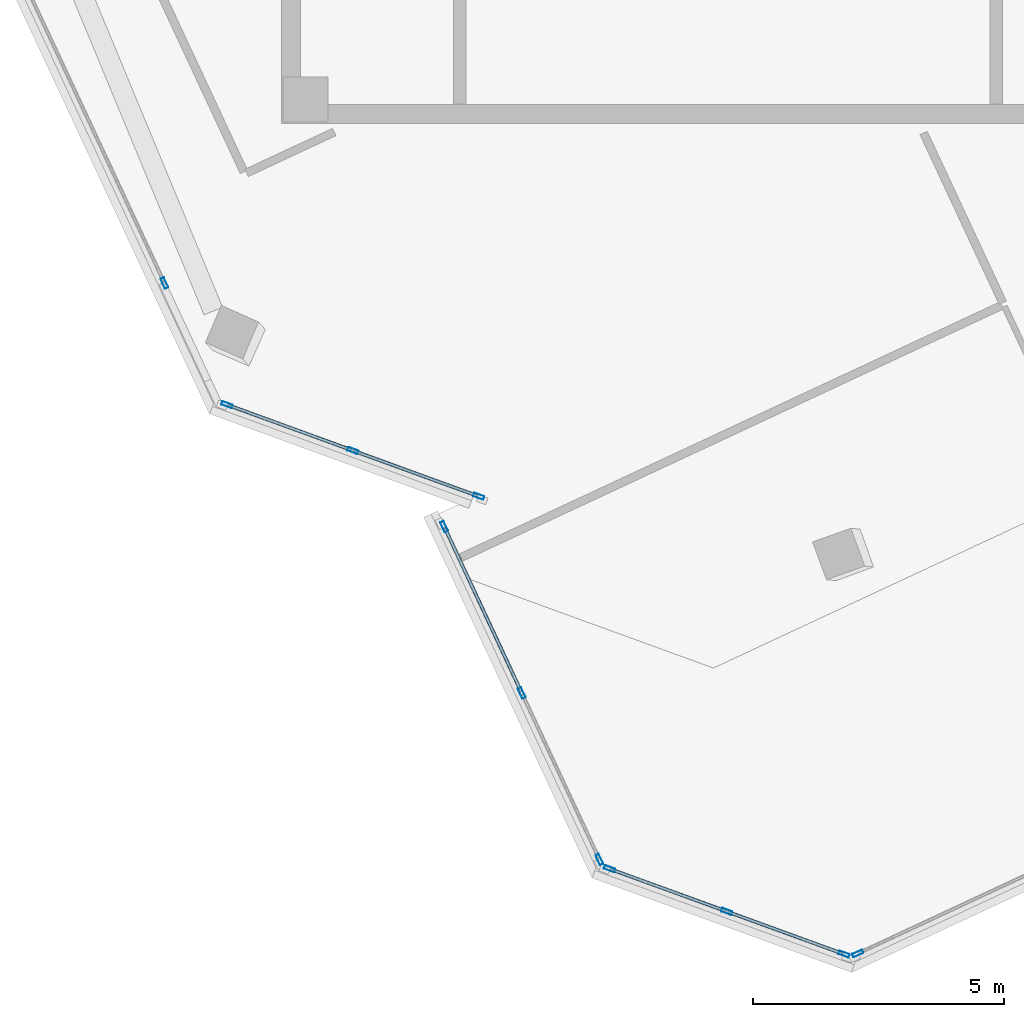
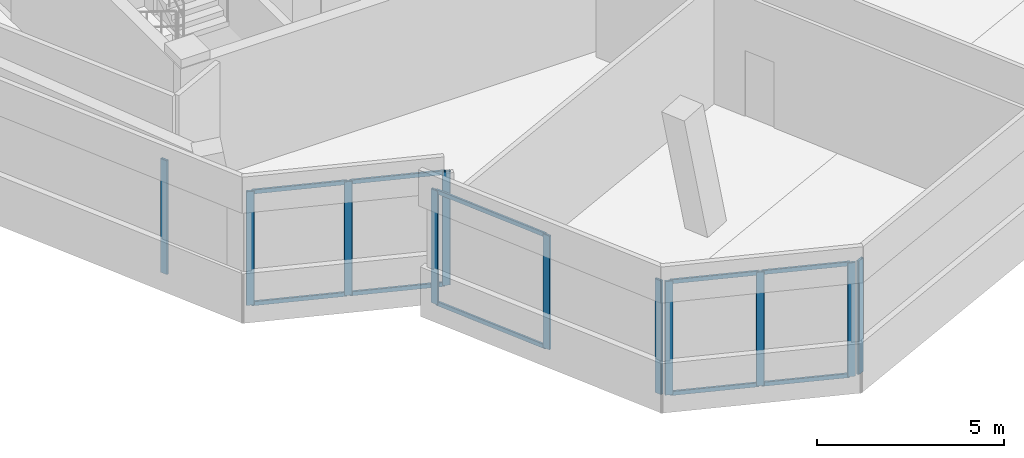
# One storey, part 2 of 16: 21 members, 5 elements without a shape of their own.
"""IFC4 building model written with IfcOpenShell, lengths in metres."""

from ifc_helpers import new_model, si_unit, direction, frame, origin, origin_2d, place, context, subcontext, project, spatial, hollow_rectangle, extrude, source, transform, mapped, material, material_profile, profile_set, type_object, element, aggregate, save


model = new_model("IFC4")

# Units and contexts
model_context = context("Model", 3, precision=1e-05, world=origin(), true_north=direction((0.0, 1.0)))
body_context = subcontext(model_context, "Body", "Model", "MODEL_VIEW")
ifc_project = project(units=[si_unit("LENGTHUNIT", "METRE"), si_unit("AREAUNIT", "SQUARE_METRE"), si_unit("VOLUMEUNIT", "CUBIC_METRE"), si_unit("PLANEANGLEUNIT", "RADIAN"), si_unit("MASSUNIT", "GRAM", prefix="KILO")], contexts=[model_context])

# Site, building, storey
site_placement = place(None, origin())
site = spatial("IfcSite", under=ifc_project, at=site_placement, CompositionType="ELEMENT")
building_placement = place(site_placement, origin())
building = spatial("IfcBuilding", under=site, at=building_placement, Name="Torre Montelarca", CompositionType="ELEMENT")
storey_placement = place(building_placement, frame((0.0, 0.0, 345.0)))
storey = spatial("IfcBuildingStorey", under=building, at=storey_placement, Name="L78", CompositionType="ELEMENT", Elevation=345.0)

# Curtain wall, members
ifc_material_1 = material(Name="Insulated low-E laminated glass", Category="glass")
curtain_wall_type = type_object("IfcCurtainWallType", Name="CW-SYS-Z4", PredefinedType="USERDEFINED", material=ifc_material_1)
curtain_wall_1_placement = place(storey_placement, origin())
curtain_wall_1 = element("IfcCurtainWall", 1, at=curtain_wall_1_placement, inside=storey, type_object=curtain_wall_type, Name="L78 Curtain Wall Run CW-T3-L78-E02-B1", ObjectType="UNITISED GLAZING", PredefinedType="USERDEFINED")
ifc_material_2 = material(Name="Anodised aluminium AA 6063-T6", Category="aluminium")
ifc_material_profile_1 = material_profile(ifc_material_2, hollow_rectangle(XDim=0.06494140625, YDim=0.139892578125, WallThickness=0.00390625, InnerFilletRadius=0.00390625, OuterFilletRadius=0.008056640625, at=origin_2d()), Name="ALU65X140X4", Category="aluminium")
ifc_profile_set_1 = profile_set([ifc_material_profile_1], Name="Anodised aluminium AA 6063-T6")
member_type_1 = type_object("IfcMemberType", Name="CWT-ALU140", PredefinedType="USERDEFINED", material=ifc_profile_set_1)
shared_shape_1 = source(origin(), body_context, "Body", "SweptSolid", [
    extrude(hollow_rectangle(XDim=0.06494140625, YDim=0.139892578125, WallThickness=0.00390625, InnerFilletRadius=0.00390625, OuterFilletRadius=0.008056640625, at=origin_2d()), origin(), (0.0, 0.0, 1.0), 2.59228515625),
])
member_1_placement = place(storey_placement, frame((8.023193359375, 18.45703125, 0.032470703125), z_axis=(0.939683388802, -0.342045506928, 0.0), x_axis=(0.342045506928, 0.939683388802, 0.0)))
member_1 = element("IfcMember", 2, at=member_1_placement, type_object=member_type_1, Name="CW transom 1.1", ObjectType="TRANSOM", PredefinedType="USERDEFINED", context=body_context, shape_type="MappedRepresentation", body=[
    mapped(shared_shape_1, transform((0.0, 0.0, 0.0), scale=1.0)),
])
member_2_placement = place(storey_placement, frame((8.023193359375, 18.45703125, 3.6875), z_axis=(0.939683388802, -0.342045506928, 0.0), x_axis=(0.342045506928, 0.939683388802, 0.0)))
member_2 = element("IfcMember", 3, at=member_2_placement, type_object=member_type_1, Name="CW transom 1.2", ObjectType="TRANSOM", PredefinedType="USERDEFINED", context=body_context, shape_type="MappedRepresentation", body=[
    mapped(shared_shape_1, transform((0.0, 0.0, 0.0), scale=1.0)),
])

# Curtain wall, member
curtain_wall_2_placement = place(storey_placement, origin())
curtain_wall_2 = element("IfcCurtainWall", 4, at=curtain_wall_2_placement, inside=storey, type_object=curtain_wall_type, Name="L78 Curtain Wall Run CW-T3-L78-E01-B1", ObjectType="UNITISED GLAZING", PredefinedType="USERDEFINED")
ifc_material_profile_2 = material_profile(ifc_material_2, hollow_rectangle(XDim=0.074951171875, YDim=0.219970703125, WallThickness=0.0048828125, InnerFilletRadius=0.0048828125, OuterFilletRadius=0.010009765625, at=origin_2d()), Name="ALU75X220X5", Category="aluminium")
ifc_profile_set_2 = profile_set([ifc_material_profile_2], Name="Anodised aluminium AA 6063-T6")
member_type_2 = type_object("IfcMemberType", Name="CWM-ALU220", PredefinedType="MULLION", material=ifc_profile_set_2)
shared_shape_2 = source(origin(), body_context, "Body", "SweptSolid", [
    extrude(hollow_rectangle(XDim=0.074951171875, YDim=0.219970703125, WallThickness=0.0048828125, InnerFilletRadius=0.0048828125, OuterFilletRadius=0.010009765625, at=origin_2d()), origin(), (0.0, 0.0, 1.0), 3.719970703125),
])
member_3_placement = place(storey_placement, frame((6.740234375, 20.894775390625, 0.0), z_axis=(0.0, 0.0, 1.0), x_axis=(0.906310265679, 0.422612946234, 0.0)))
member_3 = element("IfcMember", 5, at=member_3_placement, type_object=member_type_2, Name="CW mullion 3", PredefinedType="MULLION", context=body_context, shape_type="MappedRepresentation", body=[
    mapped(shared_shape_2, transform((0.0, 0.0, 0.0), scale=1.0)),
])
aggregate(curtain_wall_2, [member_3])

# Member
member_4_placement = place(storey_placement, frame((7.98779296875, 18.469970703125, 0.0), z_axis=(0.0, 0.0, 1.0), x_axis=(0.342023557513, 0.939691378116, 0.0)))
member_4 = element("IfcMember", 6, at=member_4_placement, type_object=member_type_2, Name="CW mullion 1", PredefinedType="MULLION", context=body_context, shape_type="MappedRepresentation", body=[
    mapped(shared_shape_2, transform((0.0, 0.0, 0.0), scale=1.0)),
])

member_5_placement = place(storey_placement, frame((10.494384765625, 17.5576171875, 0.0), z_axis=(0.0, 0.0, 1.0), x_axis=(0.342023557513, 0.939691378116, 0.0)))
member_5 = element("IfcMember", 7, at=member_5_placement, type_object=member_type_2, Name="CW mullion 2", PredefinedType="MULLION", context=body_context, shape_type="MappedRepresentation", body=[
    mapped(shared_shape_2, transform((0.0, 0.0, 0.0), scale=1.0)),
])

member_6_placement = place(storey_placement, frame((13.0009765625, 16.645263671875, 0.0), z_axis=(0.0, 0.0, 1.0), x_axis=(0.342023557513, 0.939691378116, 0.0)))
member_6 = element("IfcMember", 8, at=member_6_placement, type_object=member_type_2, Name="CW mullion 3", PredefinedType="MULLION", context=body_context, shape_type="MappedRepresentation", body=[
    mapped(shared_shape_2, transform((0.0, 0.0, 0.0), scale=1.0)),
])

# Curtain wall, members
curtain_wall_3_placement = place(storey_placement, origin())
curtain_wall_3 = element("IfcCurtainWall", 9, at=curtain_wall_3_placement, inside=storey, type_object=curtain_wall_type, Name="L78 Curtain Wall Run CW-T3-L78-E04-B1", ObjectType="UNITISED GLAZING", PredefinedType="USERDEFINED")
member_7_placement = place(storey_placement, frame((12.313232421875, 16.042724609375, 0.0), z_axis=(0.0, 0.0, 1.0), x_axis=(0.906316843386, 0.422598839793, 0.0)))
member_7 = element("IfcMember", 10, at=member_7_placement, type_object=member_type_2, Name="CW mullion 1", PredefinedType="MULLION", context=body_context, shape_type="MappedRepresentation", body=[
    mapped(shared_shape_2, transform((0.0, 0.0, 0.0), scale=1.0)),
])
member_8_placement = place(storey_placement, frame((13.859130859375, 12.72705078125, 0.0), z_axis=(0.0, 0.0, 1.0), x_axis=(0.906316843386, 0.422598839793, 0.0)))
member_8 = element("IfcMember", 11, at=member_8_placement, type_object=member_type_2, Name="CW mullion 2", PredefinedType="MULLION", context=body_context, shape_type="MappedRepresentation", body=[
    mapped(shared_shape_2, transform((0.0, 0.0, 0.0), scale=1.0)),
])
member_9_placement = place(storey_placement, frame((15.4052734375, 9.4111328125, 0.0), z_axis=(0.0, 0.0, 1.0), x_axis=(0.906316843386, 0.422598839793, 0.0)))
member_9 = element("IfcMember", 12, at=member_9_placement, type_object=member_type_2, Name="CW mullion 3", PredefinedType="MULLION", context=body_context, shape_type="MappedRepresentation", body=[
    mapped(shared_shape_2, transform((0.0, 0.0, 0.0), scale=1.0)),
])

curtain_wall_4_placement = place(storey_placement, origin())
curtain_wall_4 = element("IfcCurtainWall", 13, at=curtain_wall_4_placement, inside=storey, type_object=curtain_wall_type, Name="L78 Curtain Wall Run CW-T3-L78-E05-B1", ObjectType="UNITISED GLAZING", PredefinedType="USERDEFINED")
member_10_placement = place(storey_placement, frame((15.609130859375, 9.224609375, 0.0), z_axis=(0.0, 0.0, 1.0), x_axis=(0.342015350618, 0.939694365175, 0.0)))
member_10 = element("IfcMember", 14, at=member_10_placement, type_object=member_type_2, Name="CW mullion 1", PredefinedType="MULLION", context=body_context, shape_type="MappedRepresentation", body=[
    mapped(shared_shape_2, transform((0.0, 0.0, 0.0), scale=1.0)),
])
member_11_placement = place(storey_placement, frame((17.94287109375, 8.375244140625, 0.0), z_axis=(0.0, 0.0, 1.0), x_axis=(0.342015350618, 0.939694365175, 0.0)))
member_11 = element("IfcMember", 15, at=member_11_placement, type_object=member_type_2, Name="CW mullion 2", PredefinedType="MULLION", context=body_context, shape_type="MappedRepresentation", body=[
    mapped(shared_shape_2, transform((0.0, 0.0, 0.0), scale=1.0)),
])
member_12_placement = place(storey_placement, frame((20.27685546875, 7.525634765625, 0.0), z_axis=(0.0, 0.0, 1.0), x_axis=(0.342015350618, 0.939694365175, 0.0)))
member_12 = element("IfcMember", 16, at=member_12_placement, type_object=member_type_2, Name="CW mullion 3", PredefinedType="MULLION", context=body_context, shape_type="MappedRepresentation", body=[
    mapped(shared_shape_2, transform((0.0, 0.0, 0.0), scale=1.0)),
])

# Curtain wall, member
curtain_wall_5_placement = place(storey_placement, origin())
curtain_wall_5 = element("IfcCurtainWall", 17, at=curtain_wall_5_placement, inside=storey, type_object=curtain_wall_type, Name="L78 Curtain Wall Run CW-T3-L78-E06-B1", ObjectType="UNITISED GLAZING", PredefinedType="USERDEFINED")
member_13_placement = place(storey_placement, frame((20.552734375, 7.537841796875, 0.0), z_axis=(0.0, 0.0, 1.0), x_axis=(-0.422612053903, 0.906310681773, 0.0)))
member_13 = element("IfcMember", 18, at=member_13_placement, type_object=member_type_2, Name="CW mullion 1", PredefinedType="MULLION", context=body_context, shape_type="MappedRepresentation", body=[
    mapped(shared_shape_2, transform((0.0, 0.0, 0.0), scale=1.0)),
])
aggregate(curtain_wall_5, [member_13])

# Member
shared_shape_3 = source(origin(), body_context, "Body", "SweptSolid", [
    extrude(hollow_rectangle(XDim=0.06494140625, YDim=0.139892578125, WallThickness=0.00390625, InnerFilletRadius=0.00390625, OuterFilletRadius=0.008056640625, at=origin_2d()), origin(), (0.0, 0.0, 1.0), 2.592529296875),
])
member_14_placement = place(storey_placement, frame((10.529541015625, 17.544677734375, 0.032470703125), z_axis=(0.939694405417, -0.342015240052, 0.0), x_axis=(0.342015240052, 0.939694405417, 0.0)))
member_14 = element("IfcMember", 19, at=member_14_placement, type_object=member_type_1, Name="CW transom 2.1", ObjectType="TRANSOM", PredefinedType="USERDEFINED", context=body_context, shape_type="MappedRepresentation", body=[
    mapped(shared_shape_3, transform((0.0, 0.0, 0.0), scale=1.0)),
])

member_15_placement = place(storey_placement, frame((10.529541015625, 17.544677734375, 3.6875), z_axis=(0.939694405417, -0.342015240052, 0.0), x_axis=(0.342015240052, 0.939694405417, 0.0)))
member_15 = element("IfcMember", 20, at=member_15_placement, type_object=member_type_1, Name="CW transom 2.2", ObjectType="TRANSOM", PredefinedType="USERDEFINED", context=body_context, shape_type="MappedRepresentation", body=[
    mapped(shared_shape_3, transform((0.0, 0.0, 0.0), scale=1.0)),
])

aggregate(curtain_wall_1, [member_4, member_5, member_6, member_1, member_2, member_14, member_15])

shared_shape_4 = source(origin(), body_context, "Body", "SweptSolid", [
    extrude(hollow_rectangle(XDim=0.06494140625, YDim=0.139892578125, WallThickness=0.00390625, InnerFilletRadius=0.00390625, OuterFilletRadius=0.008056640625, at=origin_2d()), origin(), (0.0, 0.0, 1.0), 2.40869140625),
])
member_16_placement = place(storey_placement, frame((15.644287109375, 9.211669921875, 0.032470703125), z_axis=(0.939704609666, -0.341987202353, 0.0), x_axis=(0.341987202353, 0.939704609666, 0.0)))
member_16 = element("IfcMember", 21, at=member_16_placement, type_object=member_type_1, Name="CW transom 1.1", ObjectType="TRANSOM", PredefinedType="USERDEFINED", context=body_context, shape_type="MappedRepresentation", body=[
    mapped(shared_shape_4, transform((0.0, 0.0, 0.0), scale=1.0)),
])

member_17_placement = place(storey_placement, frame((15.644287109375, 9.211669921875, 3.6875), z_axis=(0.939704609666, -0.341987202353, 0.0), x_axis=(0.341987202353, 0.939704609666, 0.0)))
member_17 = element("IfcMember", 22, at=member_17_placement, type_object=member_type_1, Name="CW transom 1.2", ObjectType="TRANSOM", PredefinedType="USERDEFINED", context=body_context, shape_type="MappedRepresentation", body=[
    mapped(shared_shape_4, transform((0.0, 0.0, 0.0), scale=1.0)),
])

shared_shape_5 = source(origin(), body_context, "Body", "SweptSolid", [
    extrude(hollow_rectangle(XDim=0.06494140625, YDim=0.139892578125, WallThickness=0.00390625, InnerFilletRadius=0.00390625, OuterFilletRadius=0.008056640625, at=origin_2d()), origin(), (0.0, 0.0, 1.0), 2.408447265625),
])
member_18_placement = place(storey_placement, frame((17.978271484375, 8.3623046875, 0.032470703125), z_axis=(0.939692753438, -0.342019778867, 0.0), x_axis=(0.342019778867, 0.939692753438, 0.0)))
member_18 = element("IfcMember", 23, at=member_18_placement, type_object=member_type_1, Name="CW transom 2.1", ObjectType="TRANSOM", PredefinedType="USERDEFINED", context=body_context, shape_type="MappedRepresentation", body=[
    mapped(shared_shape_5, transform((0.0, 0.0, 0.0), scale=1.0)),
])

member_19_placement = place(storey_placement, frame((17.978271484375, 8.3623046875, 3.6875), z_axis=(0.939692753438, -0.342019778867, 0.0), x_axis=(0.342019778867, 0.939692753438, 0.0)))
member_19 = element("IfcMember", 24, at=member_19_placement, type_object=member_type_1, Name="CW transom 2.2", ObjectType="TRANSOM", PredefinedType="USERDEFINED", context=body_context, shape_type="MappedRepresentation", body=[
    mapped(shared_shape_5, transform((0.0, 0.0, 0.0), scale=1.0)),
])

aggregate(curtain_wall_4, [member_10, member_11, member_12, member_16, member_17, member_18, member_19])

shared_shape_6 = source(origin(), body_context, "Body", "SweptSolid", [
    extrude(hollow_rectangle(XDim=0.06494140625, YDim=0.139892578125, WallThickness=0.00390625, InnerFilletRadius=0.00390625, OuterFilletRadius=0.008056640625, at=origin_2d()), origin(), (0.0, 0.0, 1.0), 3.58349609375),
])
member_20_placement = place(storey_placement, frame((12.3291015625, 16.0087890625, 0.032470703125), z_axis=(0.422601989693, -0.906315374639, 0.0), x_axis=(0.906315374639, 0.422601989693, 0.0)))
member_20 = element("IfcMember", 25, at=member_20_placement, type_object=member_type_1, Name="CW transom 1.1", ObjectType="TRANSOM", PredefinedType="USERDEFINED", context=body_context, shape_type="MappedRepresentation", body=[
    mapped(shared_shape_6, transform((0.0, 0.0, 0.0), scale=1.0)),
])

member_21_placement = place(storey_placement, frame((12.3291015625, 16.0087890625, 3.6875), z_axis=(0.422601989693, -0.906315374639, 0.0), x_axis=(0.906315374639, 0.422601989693, 0.0)))
member_21 = element("IfcMember", 26, at=member_21_placement, type_object=member_type_1, Name="CW transom 1.2", ObjectType="TRANSOM", PredefinedType="USERDEFINED", context=body_context, shape_type="MappedRepresentation", body=[
    mapped(shared_shape_6, transform((0.0, 0.0, 0.0), scale=1.0)),
])

aggregate(curtain_wall_3, [member_7, member_8, member_9, member_20, member_21])

save(model, "model.ifc")
